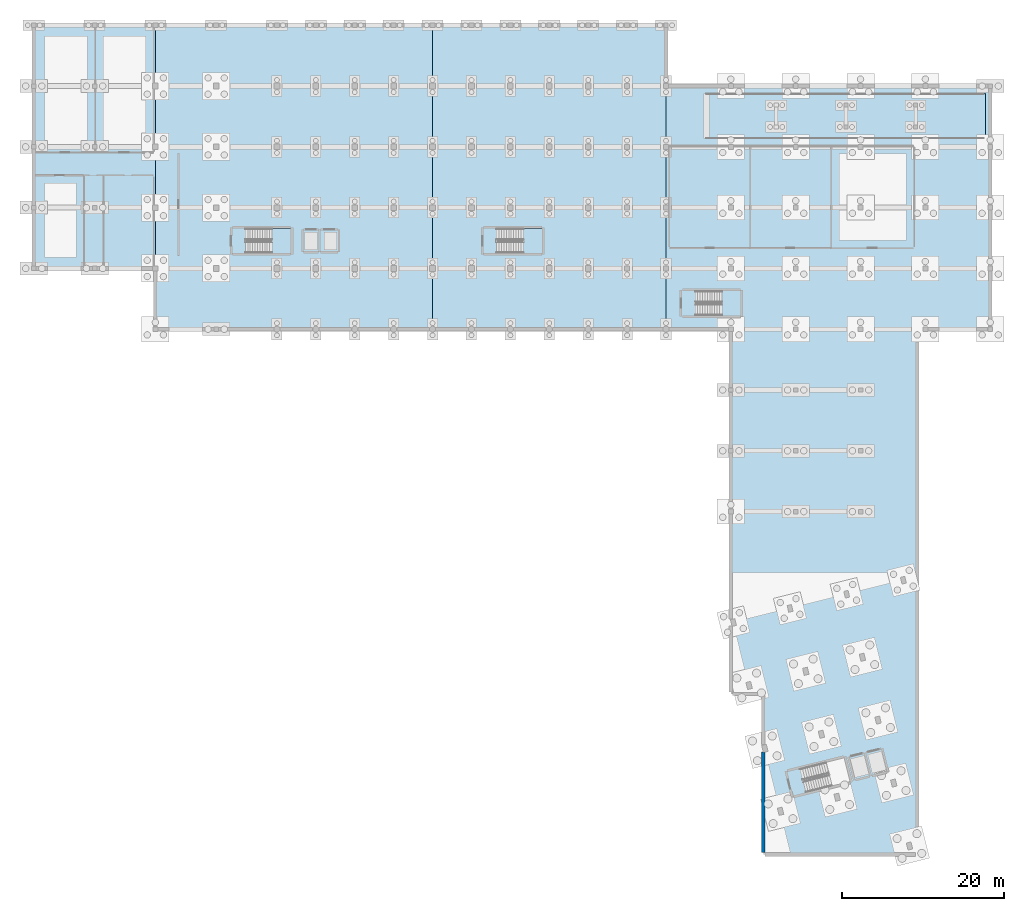
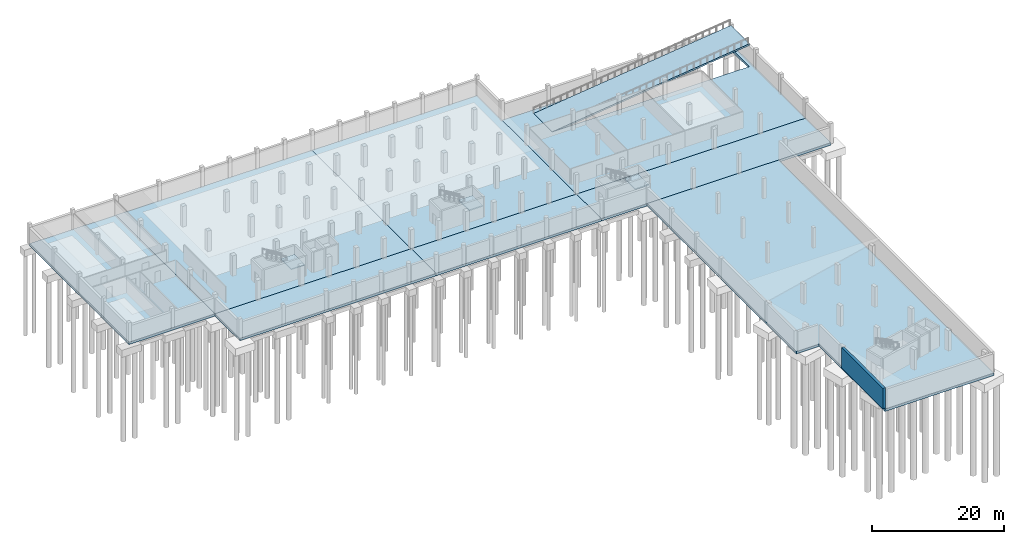
# One storey, part 5 of 17: 12 slabs, 1 wall, 3 elements without a shape of their own.
"""IFC4 building model written with IfcOpenShell, lengths in metres."""

from ifc_helpers import new_model, si_unit, direction, frame, frame_2d, origin, place, context, subcontext, project, spatial, polyline, rectangle, outline, extrude, material, layer, layer_set, type_object, element, aggregate, save


model = new_model("IFC4")

# Units and contexts
model_context = context("Model", 3, precision=1e-05, world=origin(), true_north=direction((0.0, 1.0)))
body_context = subcontext(model_context, "Body", "Model", "MODEL_VIEW")
ifc_project = project(units=[si_unit("LENGTHUNIT", "METRE"), si_unit("AREAUNIT", "SQUARE_METRE"), si_unit("VOLUMEUNIT", "CUBIC_METRE"), si_unit("PLANEANGLEUNIT", "RADIAN"), si_unit("MASSUNIT", "GRAM", prefix="KILO")], contexts=[model_context])

# Site, building, storey
site_placement = place(None, origin())
site = spatial("IfcSite", under=ifc_project, at=site_placement, CompositionType="ELEMENT")
building_placement = place(site_placement, origin())
building = spatial("IfcBuilding", under=site, at=building_placement, Name="Mawjan Specialist Oncology Clinic", CompositionType="ELEMENT")
storey_placement = place(building_placement, frame((0.0, 0.0, -4.199951171875)))
storey = spatial("IfcBuildingStorey", under=building, at=storey_placement, Name="B01", CompositionType="ELEMENT", Elevation=-4.199951171875)

# Slabs
ifc_material_1 = material(Name="Concrete C40/50", Category="concrete")
ifc_layer_1 = layer(ifc_material_1, 0.449951171875, Name="Concrete C40/50", Category="concrete")
ifc_layer_set_1 = layer_set([ifc_layer_1], Name="Concrete C40/50")
slab_type_1 = type_object("IfcSlabType", Name="BS-01", PredefinedType="BASESLAB", material=ifc_layer_set_1)
slab_1_placement = place(storey_placement, frame((0.0, 0.0, -0.449951171875)))
element("IfcSlab", 1, at=slab_1_placement, inside=storey, type_object=slab_type_1, Name="B01 Day Procedure and Pharmacy Wing Slab SLB-B01-01S", PredefinedType="BASESLAB", context=body_context, shape_type="SweptSolid", body=[
    extrude(outline(polyline([(45.0, 75.800048828125), (79.199951171875, 75.800048828125), (79.199951171875, 83.300048828125), (45.0, 83.300048828125), (45.0, 75.800048828125)])), origin(), (0.0, 0.0, 1.0), 0.449951171875),
])
slab_2_placement = place(storey_placement, frame((0.0, 0.0, -0.449951171875)))
element("IfcSlab", 2, at=slab_2_placement, inside=storey, type_object=slab_type_1, Name="B01 Day Procedure and Pharmacy Wing Slab SLB-B01-01", PredefinedType="BASESLAB", context=body_context, shape_type="SweptSolid", body=[
    extrude(outline(polyline([(45.0, 83.300048828125), (79.199951171875, 83.300048828125), (79.199951171875, 113.300048828125), (45.0, 113.300048828125), (45.0, 83.300048828125)])), origin(), (0.0, 0.0, 1.0), 0.449951171875),
])
slab_3_placement = place(storey_placement, frame((0.0, 0.0, -0.449951171875)))
element("IfcSlab", 3, at=slab_3_placement, inside=storey, type_object=slab_type_1, Name="B01 Day Procedure and Pharmacy Wing Slab SLB-B01-02S", PredefinedType="BASESLAB", context=body_context, shape_type="SweptSolid", body=[
    extrude(outline(polyline([(79.199951171875, 75.800048828125), (108.0, 75.800048828125), (108.0, 83.300048828125), (79.199951171875, 83.300048828125), (79.199951171875, 75.800048828125)])), origin(), (0.0, 0.0, 1.0), 0.449951171875),
])
slab_4_placement = place(storey_placement, frame((0.0, 0.0, -0.449951171875)))
element("IfcSlab", 4, at=slab_4_placement, inside=storey, type_object=slab_type_1, Name="B01 Day Procedure and Pharmacy Wing Slab SLB-B01-02", PredefinedType="BASESLAB", context=body_context, shape_type="SweptSolid", body=[
    extrude(outline(polyline([(79.199951171875, 83.300048828125), (108.0, 83.300048828125), (108.0, 113.300048828125), (79.199951171875, 113.300048828125), (79.199951171875, 83.300048828125)])), origin(), (0.0, 0.0, 1.0), 0.449951171875),
])
ifc_material_2 = material(Name="Concrete C40/50", Category="concrete")
ifc_layer_2 = layer(ifc_material_2, 0.449951171875, Name="Concrete C40/50", Category="concrete")
ifc_layer_set_2 = layer_set([ifc_layer_2], Name="Concrete C40/50")
slab_type_2 = type_object("IfcSlabType", Name="BS-02", PredefinedType="BASESLAB", material=ifc_layer_set_2)
slab_5_placement = place(storey_placement, frame((0.0, 0.0, -0.449951171875)))
element("IfcSlab", 5, at=slab_5_placement, inside=storey, type_object=slab_type_2, Name="B01 Diagnostic Imaging Pavilion Slab SLB-B01-03S", PredefinedType="BASESLAB", context=body_context, shape_type="SweptSolid", body=[
    extrude(outline(polyline([(108.0, 75.800048828125), (148.0, 75.800048828125), (148.0, 83.300048828125), (108.0, 83.300048828125), (108.0, 75.800048828125)])), origin(), (0.0, 0.0, 1.0), 0.449951171875),
])
slab_6_placement = place(storey_placement, frame((0.0, 0.0, -0.449951171875)))
element("IfcSlab", 6, at=slab_6_placement, inside=storey, type_object=slab_type_2, Name="B01 Diagnostic Imaging Pavilion Slab SLB-B01-03", PredefinedType="BASESLAB", context=body_context, shape_type="SweptSolid", body=[
    extrude(outline(polyline([(108.0, 83.300048828125), (148.0, 83.300048828125), (148.0, 105.800048828125), (108.0, 105.800048828125), (108.0, 83.300048828125)]), holes=[polyline([(113.0, 99.300048828125), (147.39990234375, 99.300048828125), (147.39990234375, 104.89990234375), (113.0, 104.89990234375), (113.0, 99.300048828125)])]), origin(), (0.0, 0.0, 1.0), 0.449951171875),
])
slab_7_placement = place(storey_placement, frame((0.0, 0.0, -0.449951171875)))
element("IfcSlab", 7, at=slab_7_placement, inside=storey, type_object=slab_type_2, Name="B01 Research and Teaching Wing Slab SLB-B01-04", PredefinedType="BASESLAB", context=body_context, shape_type="SweptSolid", body=[
    extrude(outline(polyline([(116.0, 30.800048828125), (120.0, 30.800048828125), (120.0, 11.0), (139.0, 11.0), (139.0, 75.800048828125), (116.0, 75.800048828125), (116.0, 30.800048828125)])), origin(), (0.0, 0.0, 1.0), 0.449951171875),
])
slab_8_placement = place(storey_placement, frame((0.0, 0.0, -0.449951171875)))
element("IfcSlab", 8, at=slab_8_placement, inside=storey, type_object=slab_type_2, Name="B01 Day Procedure and Pharmacy Wing Slab SLB-B01-05", PredefinedType="BASESLAB", context=body_context, shape_type="SweptSolid", body=[
    extrude(outline(polyline([(30.0, 83.300048828125), (45.0, 83.300048828125), (45.0, 113.300048828125), (30.0, 113.300048828125), (30.0, 83.300048828125)])), origin(), (0.0, 0.0, 1.0), 0.449951171875),
])

# Stair, slab
ifc_material_3 = material(Name="Concrete C35/45", Category="concrete")
stair_type = type_object("IfcStairType", Name="STR-CORE42", PredefinedType="HALF_TURN_STAIR", material=ifc_material_3)
stair_1_placement = place(storey_placement, origin())
stair_1 = element("IfcStair", 9, at=stair_1_placement, inside=storey, type_object=stair_type, Name="B01 Exit Stair ST-03", PredefinedType="HALF_TURN_STAIR")
ifc_material_4 = material(Name="Concrete C35/45", Category="concrete")
ifc_layer_3 = layer(ifc_material_4, 0.199951171875, Name="Concrete C35/45", Category="concrete")
ifc_layer_set_3 = layer_set([ifc_layer_3], Name="Concrete C35/45")
slab_type_3 = type_object("IfcSlabType", Name="LND-200", PredefinedType="LANDING", material=ifc_layer_set_3)
slab_9_placement = place(storey_placement, frame((0.0, 0.0, 1.89990234375)))
slab_9 = element("IfcSlab", 10, at=slab_9_placement, type_object=slab_type_3, Name="ST-03 landing 1", PredefinedType="LANDING", context=body_context, shape_type="SweptSolid", body=[
    extrude(outline(polyline([(59.363525390625, 85.15234375), (61.736572265625, 85.15234375), (61.736572265625, 88.24755859375), (59.363525390625, 88.24755859375), (59.363525390625, 85.15234375)])), origin(), (0.0, 0.0, 1.0), 0.199951171875),
])
aggregate(stair_1, [slab_9])

stair_2_placement = place(storey_placement, origin())
stair_2 = element("IfcStair", 11, at=stair_2_placement, inside=storey, type_object=stair_type, Name="B01 Exit Stair ST-04", PredefinedType="HALF_TURN_STAIR")
slab_10_placement = place(storey_placement, frame((0.0, 0.0, 1.89990234375)))
slab_10 = element("IfcSlab", 12, at=slab_10_placement, type_object=slab_type_3, Name="ST-04 landing 1", PredefinedType="LANDING", context=body_context, shape_type="SweptSolid", body=[
    extrude(outline(polyline([(90.363525390625, 85.15234375), (92.736572265625, 85.15234375), (92.736572265625, 88.24755859375), (90.363525390625, 88.24755859375), (90.363525390625, 85.15234375)])), origin(), (0.0, 0.0, 1.0), 0.199951171875),
])
aggregate(stair_2, [slab_10])

stair_3_placement = place(storey_placement, origin())
stair_3 = element("IfcStair", 13, at=stair_3_placement, inside=storey, type_object=stair_type, Name="B01 Exit Stair ST-08", PredefinedType="HALF_TURN_STAIR")
slab_11_placement = place(storey_placement, frame((0.0, 0.0, 1.89990234375)))
slab_11 = element("IfcSlab", 14, at=slab_11_placement, type_object=slab_type_3, Name="ST-08 landing 1", PredefinedType="LANDING", context=body_context, shape_type="SweptSolid", body=[
    extrude(outline(polyline([(114.863525390625, 77.452392578125), (117.236572265625, 77.452392578125), (117.236572265625, 80.547607421875), (114.863525390625, 80.547607421875), (114.863525390625, 77.452392578125)])), origin(), (0.0, 0.0, 1.0), 0.199951171875),
])
aggregate(stair_3, [slab_11])

# Slab
ifc_material_5 = material(Name="Concrete C40/50", Category="concrete")
ifc_layer_4 = layer(ifc_material_5, 0.300048828125, Name="Concrete C40/50", Category="concrete")
ifc_layer_set_4 = layer_set([ifc_layer_4], Name="Concrete C40/50")
slab_type_4 = type_object("IfcSlabType", Name="VR-300", PredefinedType="FLOOR", material=ifc_layer_set_4)
slab_12_placement = place(storey_placement, frame((113.0, 99.300048828125, 0.0), z_axis=(-0.12119202066, 0.0, 0.992629081847), x_axis=(0.992629081847, 0.0, 0.12119202066)))
element("IfcSlab", 15, at=slab_12_placement, inside=storey, type_object=slab_type_4, Name="B01 Vehicle Ramp Slab SLB-VR-01", PredefinedType="FLOOR", context=body_context, shape_type="SweptSolid", body=[
    extrude(outline(polyline([(0.0, 0.0), (34.655344048294644, 0.0), (34.655344048294644, 5.599853515625), (0.0, 5.599853515625), (0.0, 0.0)])), origin(), (0.0, 0.0, -1.0), 0.300048828125),
])

# Wall
ifc_material_6 = material(Name="Concrete C40/50", Category="concrete")
ifc_layer_5 = layer(ifc_material_6, 0.449951171875, Name="Concrete C40/50", Category="concrete")
ifc_layer_set_5 = layer_set([ifc_layer_5], Name="Concrete C40/50")
wall_type = type_object("IfcWallType", Name="RW-450", PredefinedType="USERDEFINED", material=ifc_layer_set_5)
wall_placement = place(storey_placement, frame((120.0, 11.219970703125, 0.0), z_axis=(0.0, 0.0, 1.0), x_axis=(0.0, 1.0, 0.0)))
element("IfcWall", 16, at=wall_placement, inside=storey, type_object=wall_type, Name="B01 Perimeter Retaining Wall 1", ObjectType="RETAININGWALL", PredefinedType="USERDEFINED", context=body_context, shape_type="SweptSolid", body=[
    extrude(rectangle(XDim=12.4072265625, YDim=0.449951171875, at=frame_2d((6.20361328125, 0.0))), origin(), (0.0, 0.0, 1.0), 3.75),
])

save(model, "model.ifc")
